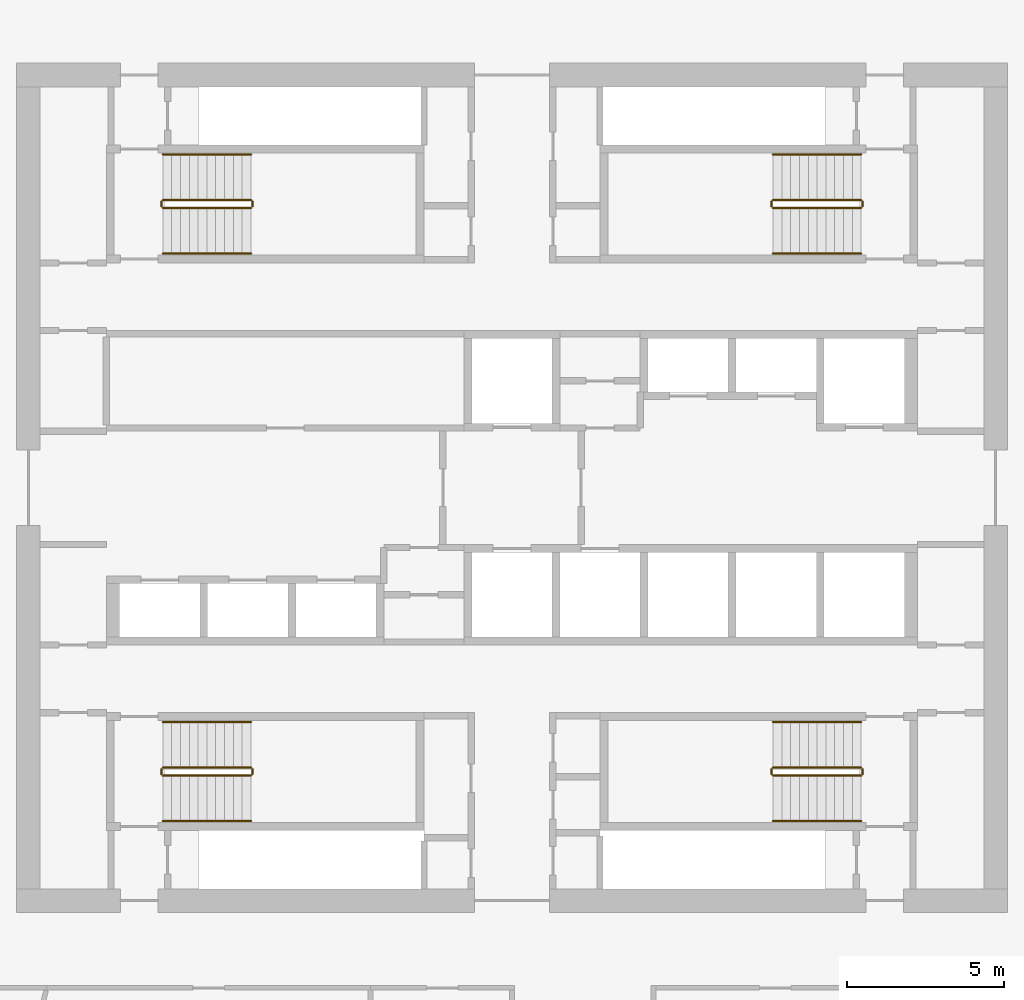
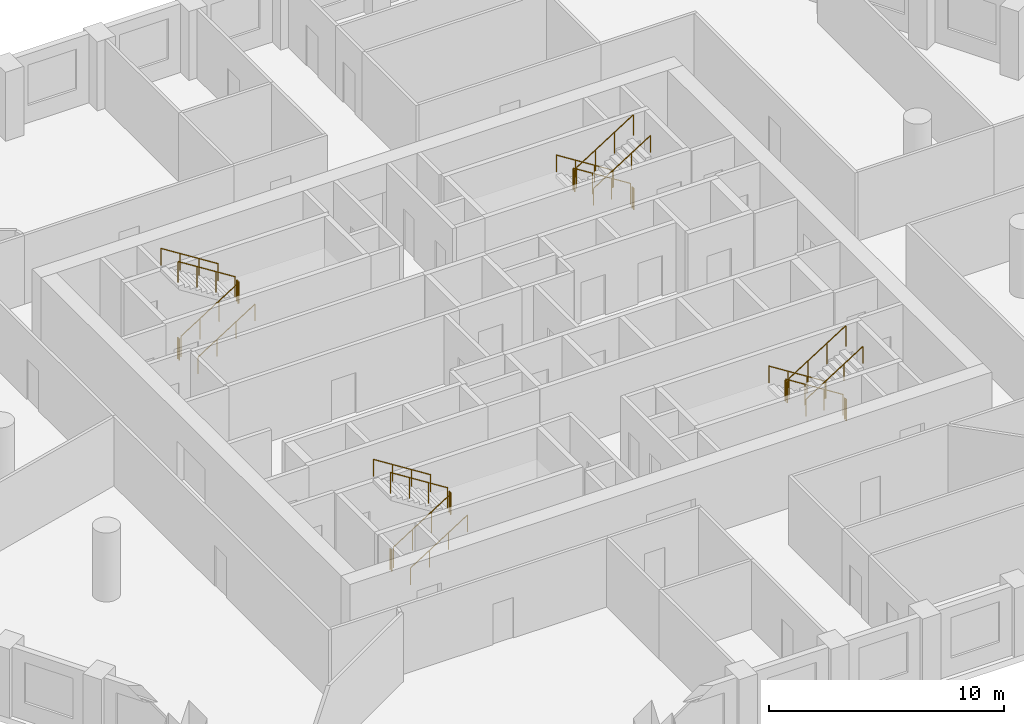
# One storey, part 9 of 9: 24 railings.
"""IFC4 building model written with IfcOpenShell, lengths in metres."""

from ifc_helpers import new_model, si_unit, direction, frame, origin, origin_2d, place, context, subcontext, project, spatial, circle, extrude, material, type_object, element, save


model = new_model("IFC4")

# Units and contexts
model_context = context("Model", 3, precision=1e-05, world=origin(), true_north=direction((0.0, 1.0)))
body_context = subcontext(model_context, "Body", "Model", "MODEL_VIEW")
ifc_project = project(units=[si_unit("LENGTHUNIT", "METRE"), si_unit("AREAUNIT", "SQUARE_METRE"), si_unit("VOLUMEUNIT", "CUBIC_METRE"), si_unit("PLANEANGLEUNIT", "RADIAN"), si_unit("MASSUNIT", "GRAM", prefix="KILO")], contexts=[model_context])

# Site, building, storey
site_placement = place(None, origin())
site = spatial("IfcSite", under=ifc_project, at=site_placement, CompositionType="ELEMENT")
building_placement = place(site_placement, origin())
building = spatial("IfcBuilding", under=site, at=building_placement, Name="Dhurran Vertical Campus", CompositionType="ELEMENT")
storey_placement = place(building_placement, frame((0.0, 0.0, 167.699951171875)))
storey = spatial("IfcBuildingStorey", under=building, at=storey_placement, Name="L41", CompositionType="ELEMENT", Elevation=167.699951171875)

# Railings
ifc_material_1 = material(Name="Stainless steel balustrade", Category="steel")
railing_type_1 = type_object("IfcRailingType", Name="co-RL-GUARD-1100", PredefinedType="GUARDRAIL", material=ifc_material_1)
railing_1_placement = place(storey_placement, frame((-11.10009765625, 8.89990234375, 0.17724609375)))
element("IfcRailing", 1, at=railing_1_placement, inside=storey, type_object=railing_type_1, Name="L41 ST1 stair guard 1", PredefinedType="GUARDRAIL", context=body_context, shape_type="SweptSolid", body=[
    extrude(circle(Radius=0.02392578125, at=origin_2d()), frame((0.0, 0.0, 1.076171875), z_axis=(0.844908973607, 0.0, 0.534910110503), x_axis=(0.0, 1.0, 0.0)), (0.0, 0.0, 1.0), 3.31396484375),
    extrude(circle(Radius=0.02099609375, at=origin_2d()), origin(), (0.0, 0.0, 1.0), 1.052001953125),
    extrude(circle(Radius=0.02099609375, at=origin_2d()), frame((0.933349609375, 0.0, 0.5908203125)), (0.0, 0.0, 1.0), 1.052001953125),
    extrude(circle(Radius=0.02099609375, at=origin_2d()), frame((1.86669921875, 0.0, 1.181884765625)), (0.0, 0.0, 1.0), 1.052001953125),
    extrude(circle(Radius=0.02099609375, at=origin_2d()), frame((2.800048828125, 0.0, 1.772705078125)), (0.0, 0.0, 1.0), 1.052001953125),
])
railing_2_placement = place(storey_placement, frame((-8.25, 8.949951171875, 1.949951171875)))
element("IfcRailing", 2, at=railing_2_placement, inside=storey, type_object=railing_type_1, Name="L41 ST1 stair guard 2", PredefinedType="GUARDRAIL", context=body_context, shape_type="SweptSolid", body=[
    extrude(circle(Radius=0.02392578125, at=origin_2d()), frame((0.0, 0.0, 1.076171875), z_axis=(0.0, 1.0, 0.0), x_axis=(-1.0, 0.0, 0.0)), (0.0, 0.0, 1.0), 0.150146484375),
    extrude(circle(Radius=0.02099609375, at=origin_2d()), origin(), (0.0, 0.0, 1.0), 1.052001953125),
    extrude(circle(Radius=0.02099609375, at=origin_2d()), frame((0.0, 0.150146484375, 0.0)), (0.0, 0.0, 1.0), 1.052001953125),
])
railing_3_placement = place(storey_placement, frame((-8.300048828125, 9.14990234375, 2.12744140625)))
element("IfcRailing", 3, at=railing_3_placement, inside=storey, type_object=railing_type_1, Name="L41 ST1 stair guard 3", PredefinedType="GUARDRAIL", context=body_context, shape_type="SweptSolid", body=[
    extrude(circle(Radius=0.02392578125, at=origin_2d()), frame((0.0, 0.0, 1.076171875), z_axis=(-0.844908973607, 0.0, 0.534910110503), x_axis=(0.0, -1.0, 0.0)), (0.0, 0.0, 1.0), 3.31396484375),
    extrude(circle(Radius=0.02099609375, at=origin_2d()), origin(), (0.0, 0.0, 1.0), 1.052001953125),
    extrude(circle(Radius=0.02099609375, at=origin_2d()), frame((-0.933349609375, 0.0, 0.5908203125)), (0.0, 0.0, 1.0), 1.052001953125),
    extrude(circle(Radius=0.02099609375, at=origin_2d()), frame((-1.86669921875, 0.0, 1.181884765625)), (0.0, 0.0, 1.0), 1.052001953125),
    extrude(circle(Radius=0.02099609375, at=origin_2d()), frame((-2.800048828125, 0.0, 1.772705078125)), (0.0, 0.0, 1.0), 1.052001953125),
])
railing_4_placement = place(storey_placement, frame((-11.14990234375, 8.949951171875, 0.0)))
element("IfcRailing", 4, at=railing_4_placement, inside=storey, type_object=railing_type_1, Name="L41 ST1 stair guard 4", PredefinedType="GUARDRAIL", context=body_context, shape_type="SweptSolid", body=[
    extrude(circle(Radius=0.02392578125, at=origin_2d()), frame((0.0, 0.0, 1.076171875), z_axis=(0.0, 1.0, 0.0), x_axis=(-1.0, 0.0, 0.0)), (0.0, 0.0, 1.0), 0.150146484375),
    extrude(circle(Radius=0.02099609375, at=origin_2d()), origin(), (0.0, 0.0, 1.0), 1.052001953125),
    extrude(circle(Radius=0.02099609375, at=origin_2d()), frame((0.0, 0.150146484375, 0.0)), (0.0, 0.0, 1.0), 1.052001953125),
])
railing_5_placement = place(storey_placement, frame((11.10009765625, 9.14990234375, 0.17724609375)))
element("IfcRailing", 5, at=railing_5_placement, inside=storey, type_object=railing_type_1, Name="L41 ST2 stair guard 1", PredefinedType="GUARDRAIL", context=body_context, shape_type="SweptSolid", body=[
    extrude(circle(Radius=0.02392578125, at=origin_2d()), frame((0.0, 0.0, 1.076171875), z_axis=(-0.844908973607, 0.0, 0.534910110503), x_axis=(0.0, -1.0, 0.0)), (0.0, 0.0, 1.0), 3.31396484375),
    extrude(circle(Radius=0.02099609375, at=origin_2d()), origin(), (0.0, 0.0, 1.0), 1.052001953125),
    extrude(circle(Radius=0.02099609375, at=origin_2d()), frame((-0.933349609375, 0.0, 0.5908203125)), (0.0, 0.0, 1.0), 1.052001953125),
    extrude(circle(Radius=0.02099609375, at=origin_2d()), frame((-1.86669921875, 0.0, 1.181884765625)), (0.0, 0.0, 1.0), 1.052001953125),
    extrude(circle(Radius=0.02099609375, at=origin_2d()), frame((-2.800048828125, 0.0, 1.772705078125)), (0.0, 0.0, 1.0), 1.052001953125),
])
railing_6_placement = place(storey_placement, frame((8.25, 9.10009765625, 1.949951171875)))
element("IfcRailing", 6, at=railing_6_placement, inside=storey, type_object=railing_type_1, Name="L41 ST2 stair guard 2", PredefinedType="GUARDRAIL", context=body_context, shape_type="SweptSolid", body=[
    extrude(circle(Radius=0.02392578125, at=origin_2d()), frame((0.0, 0.0, 1.076171875), z_axis=(0.0, -1.0, 0.0), x_axis=(1.0, 0.0, 0.0)), (0.0, 0.0, 1.0), 0.150146484375),
    extrude(circle(Radius=0.02099609375, at=origin_2d()), origin(), (0.0, 0.0, 1.0), 1.052001953125),
    extrude(circle(Radius=0.02099609375, at=origin_2d()), frame((0.0, -0.150146484375, 0.0)), (0.0, 0.0, 1.0), 1.052001953125),
])
railing_7_placement = place(storey_placement, frame((8.300048828125, 8.89990234375, 2.12744140625)))
element("IfcRailing", 7, at=railing_7_placement, inside=storey, type_object=railing_type_1, Name="L41 ST2 stair guard 3", PredefinedType="GUARDRAIL", context=body_context, shape_type="SweptSolid", body=[
    extrude(circle(Radius=0.02392578125, at=origin_2d()), frame((0.0, 0.0, 1.076171875), z_axis=(0.844908973607, 0.0, 0.534910110503), x_axis=(0.0, 1.0, 0.0)), (0.0, 0.0, 1.0), 3.31396484375),
    extrude(circle(Radius=0.02099609375, at=origin_2d()), origin(), (0.0, 0.0, 1.0), 1.052001953125),
    extrude(circle(Radius=0.02099609375, at=origin_2d()), frame((0.933349609375, 0.0, 0.5908203125)), (0.0, 0.0, 1.0), 1.052001953125),
    extrude(circle(Radius=0.02099609375, at=origin_2d()), frame((1.86669921875, 0.0, 1.181884765625)), (0.0, 0.0, 1.0), 1.052001953125),
    extrude(circle(Radius=0.02099609375, at=origin_2d()), frame((2.800048828125, 0.0, 1.772705078125)), (0.0, 0.0, 1.0), 1.052001953125),
])
railing_8_placement = place(storey_placement, frame((11.14990234375, 9.10009765625, 0.0)))
element("IfcRailing", 8, at=railing_8_placement, inside=storey, type_object=railing_type_1, Name="L41 ST2 stair guard 4", PredefinedType="GUARDRAIL", context=body_context, shape_type="SweptSolid", body=[
    extrude(circle(Radius=0.02392578125, at=origin_2d()), frame((0.0, 0.0, 1.076171875), z_axis=(0.0, -1.0, 0.0), x_axis=(1.0, 0.0, 0.0)), (0.0, 0.0, 1.0), 0.150146484375),
    extrude(circle(Radius=0.02099609375, at=origin_2d()), origin(), (0.0, 0.0, 1.0), 1.052001953125),
    extrude(circle(Radius=0.02099609375, at=origin_2d()), frame((0.0, -0.150146484375, 0.0)), (0.0, 0.0, 1.0), 1.052001953125),
])
railing_9_placement = place(storey_placement, frame((-11.10009765625, -9.14990234375, 0.17724609375)))
element("IfcRailing", 9, at=railing_9_placement, inside=storey, type_object=railing_type_1, Name="L41 ST3 stair guard 1", PredefinedType="GUARDRAIL", context=body_context, shape_type="SweptSolid", body=[
    extrude(circle(Radius=0.02392578125, at=origin_2d()), frame((0.0, 0.0, 1.076171875), z_axis=(0.844908973607, 0.0, 0.534910110503), x_axis=(0.0, 1.0, 0.0)), (0.0, 0.0, 1.0), 3.31396484375),
    extrude(circle(Radius=0.02099609375, at=origin_2d()), origin(), (0.0, 0.0, 1.0), 1.052001953125),
    extrude(circle(Radius=0.02099609375, at=origin_2d()), frame((0.933349609375, 0.0, 0.5908203125)), (0.0, 0.0, 1.0), 1.052001953125),
    extrude(circle(Radius=0.02099609375, at=origin_2d()), frame((1.86669921875, 0.0, 1.181884765625)), (0.0, 0.0, 1.0), 1.052001953125),
    extrude(circle(Radius=0.02099609375, at=origin_2d()), frame((2.800048828125, 0.0, 1.772705078125)), (0.0, 0.0, 1.0), 1.052001953125),
])
railing_10_placement = place(storey_placement, frame((-8.25, -9.10009765625, 1.949951171875)))
element("IfcRailing", 10, at=railing_10_placement, inside=storey, type_object=railing_type_1, Name="L41 ST3 stair guard 2", PredefinedType="GUARDRAIL", context=body_context, shape_type="SweptSolid", body=[
    extrude(circle(Radius=0.02392578125, at=origin_2d()), frame((0.0, 0.0, 1.076171875), z_axis=(0.0, 1.0, 0.0), x_axis=(-1.0, 0.0, 0.0)), (0.0, 0.0, 1.0), 0.150146484375),
    extrude(circle(Radius=0.02099609375, at=origin_2d()), origin(), (0.0, 0.0, 1.0), 1.052001953125),
    extrude(circle(Radius=0.02099609375, at=origin_2d()), frame((0.0, 0.150146484375, 0.0)), (0.0, 0.0, 1.0), 1.052001953125),
])
railing_11_placement = place(storey_placement, frame((-8.300048828125, -8.89990234375, 2.12744140625)))
element("IfcRailing", 11, at=railing_11_placement, inside=storey, type_object=railing_type_1, Name="L41 ST3 stair guard 3", PredefinedType="GUARDRAIL", context=body_context, shape_type="SweptSolid", body=[
    extrude(circle(Radius=0.02392578125, at=origin_2d()), frame((0.0, 0.0, 1.076171875), z_axis=(-0.844908973607, 0.0, 0.534910110503), x_axis=(0.0, -1.0, 0.0)), (0.0, 0.0, 1.0), 3.31396484375),
    extrude(circle(Radius=0.02099609375, at=origin_2d()), origin(), (0.0, 0.0, 1.0), 1.052001953125),
    extrude(circle(Radius=0.02099609375, at=origin_2d()), frame((-0.933349609375, 0.0, 0.5908203125)), (0.0, 0.0, 1.0), 1.052001953125),
    extrude(circle(Radius=0.02099609375, at=origin_2d()), frame((-1.86669921875, 0.0, 1.181884765625)), (0.0, 0.0, 1.0), 1.052001953125),
    extrude(circle(Radius=0.02099609375, at=origin_2d()), frame((-2.800048828125, 0.0, 1.772705078125)), (0.0, 0.0, 1.0), 1.052001953125),
])
railing_12_placement = place(storey_placement, frame((-11.14990234375, -9.10009765625, 0.0)))
element("IfcRailing", 12, at=railing_12_placement, inside=storey, type_object=railing_type_1, Name="L41 ST3 stair guard 4", PredefinedType="GUARDRAIL", context=body_context, shape_type="SweptSolid", body=[
    extrude(circle(Radius=0.02392578125, at=origin_2d()), frame((0.0, 0.0, 1.076171875), z_axis=(0.0, 1.0, 0.0), x_axis=(-1.0, 0.0, 0.0)), (0.0, 0.0, 1.0), 0.150146484375),
    extrude(circle(Radius=0.02099609375, at=origin_2d()), origin(), (0.0, 0.0, 1.0), 1.052001953125),
    extrude(circle(Radius=0.02099609375, at=origin_2d()), frame((0.0, 0.150146484375, 0.0)), (0.0, 0.0, 1.0), 1.052001953125),
])
railing_13_placement = place(storey_placement, frame((11.10009765625, -8.89990234375, 0.17724609375)))
element("IfcRailing", 13, at=railing_13_placement, inside=storey, type_object=railing_type_1, Name="L41 ST4 stair guard 1", PredefinedType="GUARDRAIL", context=body_context, shape_type="SweptSolid", body=[
    extrude(circle(Radius=0.02392578125, at=origin_2d()), frame((0.0, 0.0, 1.076171875), z_axis=(-0.844908973607, 0.0, 0.534910110503), x_axis=(0.0, -1.0, 0.0)), (0.0, 0.0, 1.0), 3.31396484375),
    extrude(circle(Radius=0.02099609375, at=origin_2d()), origin(), (0.0, 0.0, 1.0), 1.052001953125),
    extrude(circle(Radius=0.02099609375, at=origin_2d()), frame((-0.933349609375, 0.0, 0.5908203125)), (0.0, 0.0, 1.0), 1.052001953125),
    extrude(circle(Radius=0.02099609375, at=origin_2d()), frame((-1.86669921875, 0.0, 1.181884765625)), (0.0, 0.0, 1.0), 1.052001953125),
    extrude(circle(Radius=0.02099609375, at=origin_2d()), frame((-2.800048828125, 0.0, 1.772705078125)), (0.0, 0.0, 1.0), 1.052001953125),
])
railing_14_placement = place(storey_placement, frame((8.25, -8.949951171875, 1.949951171875)))
element("IfcRailing", 14, at=railing_14_placement, inside=storey, type_object=railing_type_1, Name="L41 ST4 stair guard 2", PredefinedType="GUARDRAIL", context=body_context, shape_type="SweptSolid", body=[
    extrude(circle(Radius=0.02392578125, at=origin_2d()), frame((0.0, 0.0, 1.076171875), z_axis=(0.0, -1.0, 0.0), x_axis=(1.0, 0.0, 0.0)), (0.0, 0.0, 1.0), 0.150146484375),
    extrude(circle(Radius=0.02099609375, at=origin_2d()), origin(), (0.0, 0.0, 1.0), 1.052001953125),
    extrude(circle(Radius=0.02099609375, at=origin_2d()), frame((0.0, -0.150146484375, 0.0)), (0.0, 0.0, 1.0), 1.052001953125),
])
railing_15_placement = place(storey_placement, frame((8.300048828125, -9.14990234375, 2.12744140625)))
element("IfcRailing", 15, at=railing_15_placement, inside=storey, type_object=railing_type_1, Name="L41 ST4 stair guard 3", PredefinedType="GUARDRAIL", context=body_context, shape_type="SweptSolid", body=[
    extrude(circle(Radius=0.02392578125, at=origin_2d()), frame((0.0, 0.0, 1.076171875), z_axis=(0.844908973607, 0.0, 0.534910110503), x_axis=(0.0, 1.0, 0.0)), (0.0, 0.0, 1.0), 3.31396484375),
    extrude(circle(Radius=0.02099609375, at=origin_2d()), origin(), (0.0, 0.0, 1.0), 1.052001953125),
    extrude(circle(Radius=0.02099609375, at=origin_2d()), frame((0.933349609375, 0.0, 0.5908203125)), (0.0, 0.0, 1.0), 1.052001953125),
    extrude(circle(Radius=0.02099609375, at=origin_2d()), frame((1.86669921875, 0.0, 1.181884765625)), (0.0, 0.0, 1.0), 1.052001953125),
    extrude(circle(Radius=0.02099609375, at=origin_2d()), frame((2.800048828125, 0.0, 1.772705078125)), (0.0, 0.0, 1.0), 1.052001953125),
])
railing_16_placement = place(storey_placement, frame((11.14990234375, -8.949951171875, 0.0)))
element("IfcRailing", 16, at=railing_16_placement, inside=storey, type_object=railing_type_1, Name="L41 ST4 stair guard 4", PredefinedType="GUARDRAIL", context=body_context, shape_type="SweptSolid", body=[
    extrude(circle(Radius=0.02392578125, at=origin_2d()), frame((0.0, 0.0, 1.076171875), z_axis=(0.0, -1.0, 0.0), x_axis=(1.0, 0.0, 0.0)), (0.0, 0.0, 1.0), 0.150146484375),
    extrude(circle(Radius=0.02099609375, at=origin_2d()), origin(), (0.0, 0.0, 1.0), 1.052001953125),
    extrude(circle(Radius=0.02099609375, at=origin_2d()), frame((0.0, -0.150146484375, 0.0)), (0.0, 0.0, 1.0), 1.052001953125),
])
ifc_material_2 = material(Name="Stainless steel handrail", Category="steel")
railing_type_2 = type_object("IfcRailingType", Name="co-RL-HANDRAIL-900", PredefinedType="HANDRAIL", material=ifc_material_2)
railing_17_placement = place(storey_placement, frame((-11.10009765625, 7.449951171875, 0.17724609375)))
element("IfcRailing", 17, at=railing_17_placement, inside=storey, type_object=railing_type_2, Name="L41 ST1 stair handrail 1", PredefinedType="HANDRAIL", context=body_context, shape_type="SweptSolid", body=[
    extrude(circle(Radius=0.02392578125, at=origin_2d()), frame((0.0, 0.0, 0.8759765625), z_axis=(0.844908973607, 0.0, 0.534910110503), x_axis=(0.0, 1.0, 0.0)), (0.0, 0.0, 1.0), 3.31396484375),
    extrude(circle(Radius=0.02099609375, at=origin_2d()), origin(), (0.0, 0.0, 1.0), 0.851806640625),
    extrude(circle(Radius=0.02099609375, at=origin_2d()), frame((0.933349609375, 0.0, 0.5908203125)), (0.0, 0.0, 1.0), 0.851806640625),
    extrude(circle(Radius=0.02099609375, at=origin_2d()), frame((1.86669921875, 0.0, 1.181884765625)), (0.0, 0.0, 1.0), 0.851806640625),
    extrude(circle(Radius=0.02099609375, at=origin_2d()), frame((2.800048828125, 0.0, 1.772705078125)), (0.0, 0.0, 1.0), 0.851806640625),
])
for number, where, name in (
    (18, (-8.300048828125, 10.60009765625, 2.12744140625), "L41 ST1 stair handrail 2"),
    (19, (11.10009765625, 10.60009765625, 0.17724609375), "L41 ST2 stair handrail 1"),
):
    element("IfcRailing", number, at=place(storey_placement, frame(where)), inside=storey, type_object=railing_type_2, Name=name, PredefinedType="HANDRAIL", context=body_context, shape_type="SweptSolid", body=[
        extrude(circle(Radius=0.02392578125, at=origin_2d()), frame((0.0, 0.0, 0.8759765625), z_axis=(-0.844908973607, 0.0, 0.534910110503), x_axis=(0.0, -1.0, 0.0)), (0.0, 0.0, 1.0), 3.31396484375),
        extrude(circle(Radius=0.02099609375, at=origin_2d()), origin(), (0.0, 0.0, 1.0), 0.851806640625),
        extrude(circle(Radius=0.02099609375, at=origin_2d()), frame((-0.933349609375, 0.0, 0.5908203125)), (0.0, 0.0, 1.0), 0.851806640625),
        extrude(circle(Radius=0.02099609375, at=origin_2d()), frame((-1.86669921875, 0.0, 1.181884765625)), (0.0, 0.0, 1.0), 0.851806640625),
        extrude(circle(Radius=0.02099609375, at=origin_2d()), frame((-2.800048828125, 0.0, 1.772705078125)), (0.0, 0.0, 1.0), 0.851806640625),
    ])
for number, where, name in (
    (20, (8.300048828125, 7.449951171875, 2.12744140625), "L41 ST2 stair handrail 2"),
    (21, (-11.10009765625, -10.60009765625, 0.17724609375), "L41 ST3 stair handrail 1"),
):
    element("IfcRailing", number, at=place(storey_placement, frame(where)), inside=storey, type_object=railing_type_2, Name=name, PredefinedType="HANDRAIL", context=body_context, shape_type="SweptSolid", body=[
        extrude(circle(Radius=0.02392578125, at=origin_2d()), frame((0.0, 0.0, 0.8759765625), z_axis=(0.844908973607, 0.0, 0.534910110503), x_axis=(0.0, 1.0, 0.0)), (0.0, 0.0, 1.0), 3.31396484375),
        extrude(circle(Radius=0.02099609375, at=origin_2d()), origin(), (0.0, 0.0, 1.0), 0.851806640625),
        extrude(circle(Radius=0.02099609375, at=origin_2d()), frame((0.933349609375, 0.0, 0.5908203125)), (0.0, 0.0, 1.0), 0.851806640625),
        extrude(circle(Radius=0.02099609375, at=origin_2d()), frame((1.86669921875, 0.0, 1.181884765625)), (0.0, 0.0, 1.0), 0.851806640625),
        extrude(circle(Radius=0.02099609375, at=origin_2d()), frame((2.800048828125, 0.0, 1.772705078125)), (0.0, 0.0, 1.0), 0.851806640625),
    ])
for number, where, name in (
    (22, (-8.300048828125, -7.449951171875, 2.12744140625), "L41 ST3 stair handrail 2"),
    (23, (11.10009765625, -7.449951171875, 0.17724609375), "L41 ST4 stair handrail 1"),
):
    element("IfcRailing", number, at=place(storey_placement, frame(where)), inside=storey, type_object=railing_type_2, Name=name, PredefinedType="HANDRAIL", context=body_context, shape_type="SweptSolid", body=[
        extrude(circle(Radius=0.02392578125, at=origin_2d()), frame((0.0, 0.0, 0.8759765625), z_axis=(-0.844908973607, 0.0, 0.534910110503), x_axis=(0.0, -1.0, 0.0)), (0.0, 0.0, 1.0), 3.31396484375),
        extrude(circle(Radius=0.02099609375, at=origin_2d()), origin(), (0.0, 0.0, 1.0), 0.851806640625),
        extrude(circle(Radius=0.02099609375, at=origin_2d()), frame((-0.933349609375, 0.0, 0.5908203125)), (0.0, 0.0, 1.0), 0.851806640625),
        extrude(circle(Radius=0.02099609375, at=origin_2d()), frame((-1.86669921875, 0.0, 1.181884765625)), (0.0, 0.0, 1.0), 0.851806640625),
        extrude(circle(Radius=0.02099609375, at=origin_2d()), frame((-2.800048828125, 0.0, 1.772705078125)), (0.0, 0.0, 1.0), 0.851806640625),
    ])
railing_18_placement = place(storey_placement, frame((8.300048828125, -10.60009765625, 2.12744140625)))
element("IfcRailing", 24, at=railing_18_placement, inside=storey, type_object=railing_type_2, Name="L41 ST4 stair handrail 2", PredefinedType="HANDRAIL", context=body_context, shape_type="SweptSolid", body=[
    extrude(circle(Radius=0.02392578125, at=origin_2d()), frame((0.0, 0.0, 0.8759765625), z_axis=(0.844908973607, 0.0, 0.534910110503), x_axis=(0.0, 1.0, 0.0)), (0.0, 0.0, 1.0), 3.31396484375),
    extrude(circle(Radius=0.02099609375, at=origin_2d()), origin(), (0.0, 0.0, 1.0), 0.851806640625),
    extrude(circle(Radius=0.02099609375, at=origin_2d()), frame((0.933349609375, 0.0, 0.5908203125)), (0.0, 0.0, 1.0), 0.851806640625),
    extrude(circle(Radius=0.02099609375, at=origin_2d()), frame((1.86669921875, 0.0, 1.181884765625)), (0.0, 0.0, 1.0), 0.851806640625),
    extrude(circle(Radius=0.02099609375, at=origin_2d()), frame((2.800048828125, 0.0, 1.772705078125)), (0.0, 0.0, 1.0), 0.851806640625),
])

save(model, "model.ifc")
